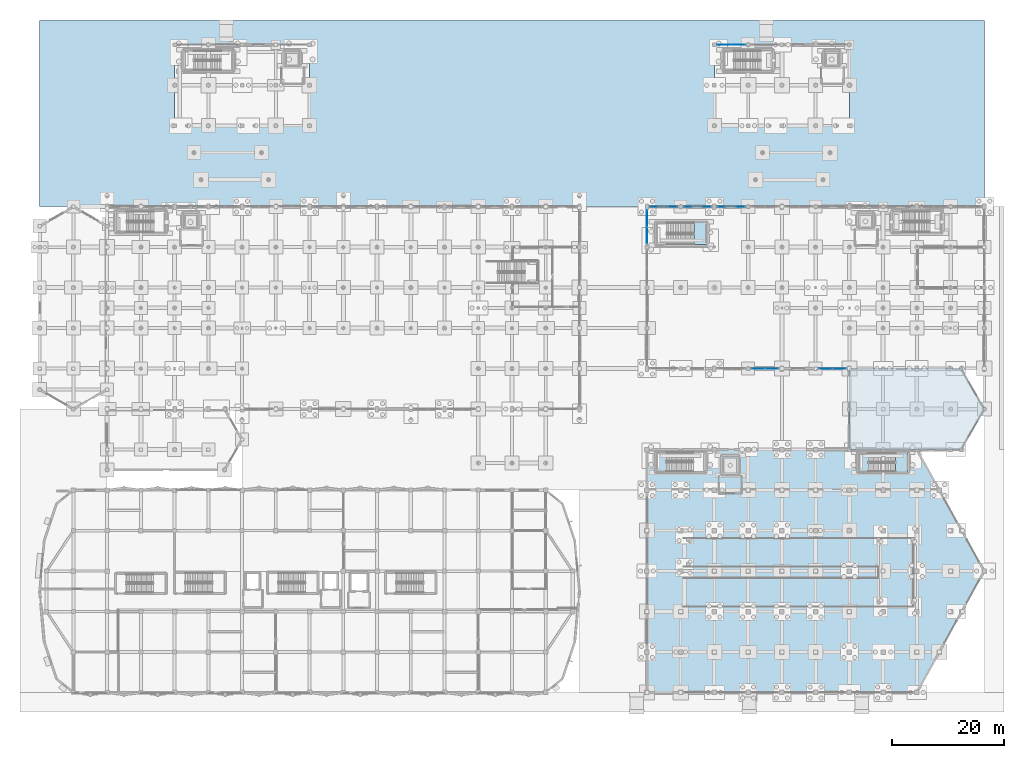
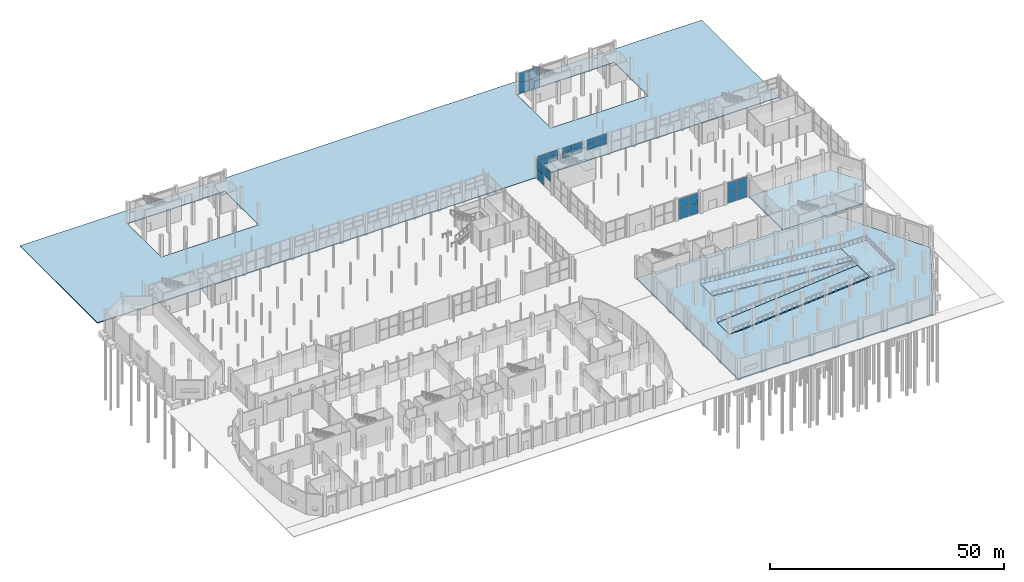
# One storey, part 73 of 103: 27 plates, 8 slabs, 9 elements without a shape of their own.
"""IFC4 building model written with IfcOpenShell, lengths in metres."""

from ifc_helpers import new_model, si_unit, direction, frame, origin, origin_2d, place, context, subcontext, project, spatial, polyline, rectangle, outline, extrude, material, layer, layer_set, type_object, element, aggregate, save


model = new_model("IFC4")

# Units and contexts
model_context = context("Model", 3, precision=1e-05, world=origin(), true_north=direction((0.0, 1.0)))
body_context = subcontext(model_context, "Body", "Model", "MODEL_VIEW")
ifc_project = project(units=[si_unit("LENGTHUNIT", "METRE"), si_unit("AREAUNIT", "SQUARE_METRE"), si_unit("VOLUMEUNIT", "CUBIC_METRE"), si_unit("PLANEANGLEUNIT", "RADIAN"), si_unit("MASSUNIT", "GRAM", prefix="KILO")], contexts=[model_context])

# Site, building, storey
site_placement = place(None, origin())
site = spatial("IfcSite", under=ifc_project, at=site_placement, CompositionType="ELEMENT")
building_placement = place(site_placement, origin())
building = spatial("IfcBuilding", under=site, at=building_placement, Name="Dunvalen Ferry Terminal", CompositionType="ELEMENT")
storey_placement = place(building_placement, origin())
storey = spatial("IfcBuildingStorey", under=building, at=storey_placement, Name="L00", CompositionType="ELEMENT", Elevation=0.0)

# Curtain wall, plates
ifc_material_1 = material(Name="Anodised marine aluminium and solar-control glazing", Category="aluminium")
ifc_layer_1 = layer(ifc_material_1, 0.219970703125, Name="Anodised marine aluminium and solar-control glazing")
ifc_layer_set_1 = layer_set([ifc_layer_1], Name="Anodised marine aluminium and solar-control glazing")
curtain_wall_type_1 = type_object("IfcCurtainWallType", Name="ENV-CW-SYS-03", PredefinedType="NOTDEFINED", material=ifc_layer_set_1)
curtain_wall_1_placement = place(storey_placement, origin())
curtain_wall_1 = element("IfcCurtainWall", 1, at=curtain_wall_1_placement, inside=storey, type_object=curtain_wall_type_1, Name="L00 Curtain Wall CW-V2W-L00-4", PredefinedType="NOTDEFINED")
ifc_material_2 = material(Name="Low-E solar-control laminated double glazing", Category="glass")
ifc_layer_2 = layer(ifc_material_2, 0.028076171875, Name="Low-E solar-control laminated double glazing")
ifc_layer_set_2 = layer_set([ifc_layer_2], Name="Low-E solar-control laminated double glazing")
plate_type_1 = type_object("IfcPlateType", Name="ENV-CW-PNL-1", PredefinedType="CURTAIN_PANEL", material=ifc_layer_set_2)
plate_1_placement = place(storey_placement, frame((108.0, 81.296142578125, 2.757568359375), z_axis=(0.0, 0.0, 1.0), x_axis=(0.0, 1.0, 0.0)))
plate_1 = element("IfcPlate", 2, at=plate_1_placement, type_object=plate_type_1, Name="CW-03 panel 1.2", PredefinedType="CURTAIN_PANEL", context=body_context, shape_type="SweptSolid", body=[
    extrude(rectangle(XDim=2.9423828125, YDim=0.028076171875, at=origin_2d()), origin(), (0.0, 0.0, 1.0), 2.62744140625),
])
plate_2_placement = place(storey_placement, frame((108.0, 84.3037109375, 0.06494140625), z_axis=(0.0, 0.0, 1.0), x_axis=(0.0, 1.0, 0.0)))
plate_2 = element("IfcPlate", 3, at=plate_2_placement, type_object=plate_type_1, Name="CW-03 panel 2.1", PredefinedType="CURTAIN_PANEL", context=body_context, shape_type="SweptSolid", body=[
    extrude(rectangle(XDim=2.9423828125, YDim=0.028076171875, at=origin_2d()), origin(), (0.0, 0.0, 1.0), 2.62744140625),
])
plate_3_placement = place(storey_placement, frame((108.0, 84.3037109375, 2.757568359375), z_axis=(0.0, 0.0, 1.0), x_axis=(0.0, 1.0, 0.0)))
plate_3 = element("IfcPlate", 4, at=plate_3_placement, type_object=plate_type_1, Name="CW-03 panel 2.2", PredefinedType="CURTAIN_PANEL", context=body_context, shape_type="SweptSolid", body=[
    extrude(rectangle(XDim=2.9423828125, YDim=0.028076171875, at=origin_2d()), origin(), (0.0, 0.0, 1.0), 2.62744140625),
])
aggregate(curtain_wall_1, [plate_1, plate_2, plate_3])

ifc_layer_3 = layer(ifc_material_1, 0.159912109375, Name="Anodised marine aluminium and solar-control glazing")
ifc_layer_set_3 = layer_set([ifc_layer_3], Name="Anodised marine aluminium and solar-control glazing")
curtain_wall_type_2 = type_object("IfcCurtainWallType", Name="ENV-CW-SYS-09", PredefinedType="NOTDEFINED", material=ifc_layer_set_3)
curtain_wall_2_placement = place(storey_placement, origin())
curtain_wall_2 = element("IfcCurtainWall", 5, at=curtain_wall_2_placement, inside=storey, type_object=curtain_wall_type_2, Name="L00 Curtain Wall CW-BRT2-N-L00-1", PredefinedType="NOTDEFINED")
plate_4_placement = place(storey_placement, frame((121.739990234375, 115.199951171875, 0.06005859375), z_axis=(0.0, 0.0, 1.0), x_axis=(1.0, 0.0, 0.0)))
plate_4 = element("IfcPlate", 6, at=plate_4_placement, type_object=plate_type_1, Name="CW-09 panel 1.1", PredefinedType="CURTAIN_PANEL", context=body_context, shape_type="SweptSolid", body=[
    extrude(rectangle(XDim=2.4599609375, YDim=0.028076171875, at=origin_2d()), origin(), (0.0, 0.0, 1.0), 2.635009765625),
])
plate_5_placement = place(storey_placement, frame((121.739990234375, 115.199951171875, 2.7548828125), z_axis=(0.0, 0.0, 1.0), x_axis=(1.0, 0.0, 0.0)))
plate_5 = element("IfcPlate", 7, at=plate_5_placement, type_object=plate_type_1, Name="CW-09 panel 1.2", PredefinedType="CURTAIN_PANEL", context=body_context, shape_type="SweptSolid", body=[
    extrude(rectangle(XDim=2.4599609375, YDim=0.028076171875, at=origin_2d()), origin(), (0.0, 0.0, 1.0), 2.635009765625),
])
plate_6_placement = place(storey_placement, frame((124.260009765625, 115.199951171875, 0.06005859375), z_axis=(0.0, 0.0, 1.0), x_axis=(1.0, 0.0, 0.0)))
plate_6 = element("IfcPlate", 8, at=plate_6_placement, type_object=plate_type_1, Name="CW-09 panel 2.1", PredefinedType="CURTAIN_PANEL", context=body_context, shape_type="SweptSolid", body=[
    extrude(rectangle(XDim=2.4599609375, YDim=0.028076171875, at=origin_2d()), origin(), (0.0, 0.0, 1.0), 2.635009765625),
])
plate_7_placement = place(storey_placement, frame((124.260009765625, 115.199951171875, 2.7548828125), z_axis=(0.0, 0.0, 1.0), x_axis=(1.0, 0.0, 0.0)))
plate_7 = element("IfcPlate", 9, at=plate_7_placement, type_object=plate_type_1, Name="CW-09 panel 2.2", PredefinedType="CURTAIN_PANEL", context=body_context, shape_type="SweptSolid", body=[
    extrude(rectangle(XDim=2.4599609375, YDim=0.028076171875, at=origin_2d()), origin(), (0.0, 0.0, 1.0), 2.635009765625),
])
aggregate(curtain_wall_2, [plate_4, plate_5, plate_6, plate_7])

ifc_layer_4 = layer(ifc_material_1, 0.219970703125, Name="Anodised marine aluminium and solar-control glazing")
ifc_layer_set_4 = layer_set([ifc_layer_4], Name="Anodised marine aluminium and solar-control glazing")
curtain_wall_type_3 = type_object("IfcCurtainWallType", Name="ENV-CW-SYS-01", PredefinedType="NOTDEFINED", material=ifc_layer_set_4)
curtain_wall_3_placement = place(storey_placement, origin())
curtain_wall_3 = element("IfcCurtainWall", 10, at=curtain_wall_3_placement, inside=storey, type_object=curtain_wall_type_3, Name="L00 Curtain Wall CW-V2S-L00-04", PredefinedType="NOTDEFINED")
ifc_layer_5 = layer(ifc_material_2, 0.035888671875, Name="Low-E solar-control laminated double glazing")
ifc_layer_set_5 = layer_set([ifc_layer_5], Name="Low-E solar-control laminated double glazing")
plate_type_2 = type_object("IfcPlateType", Name="ENV-CW-PNL-3", PredefinedType="CURTAIN_PANEL", material=ifc_layer_set_5)
plate_8_placement = place(storey_placement, frame((127.796142578125, 57.60009765625, 0.06494140625), z_axis=(0.0, 0.0, 1.0), x_axis=(1.0, 0.0, 0.0)))
plate_8 = element("IfcPlate", 11, at=plate_8_placement, type_object=plate_type_2, Name="CW-01 panel 1.1", PredefinedType="CURTAIN_PANEL", context=body_context, shape_type="SweptSolid", body=[
    extrude(rectangle(XDim=2.342529296875, YDim=0.035888671875, at=origin_2d()), origin(), (0.0, 0.0, 1.0), 2.62744140625),
])
plate_9_placement = place(storey_placement, frame((127.796142578125, 57.60009765625, 2.757568359375), z_axis=(0.0, 0.0, 1.0), x_axis=(1.0, 0.0, 0.0)))
plate_9 = element("IfcPlate", 12, at=plate_9_placement, type_object=plate_type_2, Name="CW-01 panel 1.2", PredefinedType="CURTAIN_PANEL", context=body_context, shape_type="SweptSolid", body=[
    extrude(rectangle(XDim=2.342529296875, YDim=0.035888671875, at=origin_2d()), origin(), (0.0, 0.0, 1.0), 2.62744140625),
])
plate_10_placement = place(storey_placement, frame((130.203857421875, 57.60009765625, 0.06494140625), z_axis=(0.0, 0.0, 1.0), x_axis=(1.0, 0.0, 0.0)))
plate_10 = element("IfcPlate", 13, at=plate_10_placement, type_object=plate_type_2, Name="CW-01 panel 2.1", PredefinedType="CURTAIN_PANEL", context=body_context, shape_type="SweptSolid", body=[
    extrude(rectangle(XDim=2.342529296875, YDim=0.035888671875, at=origin_2d()), origin(), (0.0, 0.0, 1.0), 2.62744140625),
])
plate_11_placement = place(storey_placement, frame((130.203857421875, 57.60009765625, 2.757568359375), z_axis=(0.0, 0.0, 1.0), x_axis=(1.0, 0.0, 0.0)))
plate_11 = element("IfcPlate", 14, at=plate_11_placement, type_object=plate_type_2, Name="CW-01 panel 2.2", PredefinedType="CURTAIN_PANEL", context=body_context, shape_type="SweptSolid", body=[
    extrude(rectangle(XDim=2.342529296875, YDim=0.035888671875, at=origin_2d()), origin(), (0.0, 0.0, 1.0), 2.62744140625),
])
aggregate(curtain_wall_3, [plate_8, plate_9, plate_10, plate_11])

curtain_wall_4_placement = place(storey_placement, origin())
curtain_wall_4 = element("IfcCurtainWall", 15, at=curtain_wall_4_placement, inside=storey, type_object=curtain_wall_type_3, Name="L00 Curtain Wall CW-V2S-L00-06", PredefinedType="NOTDEFINED")
plate_12_placement = place(storey_placement, frame((139.796142578125, 57.60009765625, 0.06494140625), z_axis=(0.0, 0.0, 1.0), x_axis=(1.0, 0.0, 0.0)))
plate_12 = element("IfcPlate", 16, at=plate_12_placement, type_object=plate_type_2, Name="CW-01 panel 1.1", PredefinedType="CURTAIN_PANEL", context=body_context, shape_type="SweptSolid", body=[
    extrude(rectangle(XDim=2.342529296875, YDim=0.035888671875, at=origin_2d()), origin(), (0.0, 0.0, 1.0), 2.62744140625),
])
plate_13_placement = place(storey_placement, frame((139.796142578125, 57.60009765625, 2.757568359375), z_axis=(0.0, 0.0, 1.0), x_axis=(1.0, 0.0, 0.0)))
plate_13 = element("IfcPlate", 17, at=plate_13_placement, type_object=plate_type_2, Name="CW-01 panel 1.2", PredefinedType="CURTAIN_PANEL", context=body_context, shape_type="SweptSolid", body=[
    extrude(rectangle(XDim=2.342529296875, YDim=0.035888671875, at=origin_2d()), origin(), (0.0, 0.0, 1.0), 2.62744140625),
])
plate_14_placement = place(storey_placement, frame((142.203857421875, 57.60009765625, 0.06494140625), z_axis=(0.0, 0.0, 1.0), x_axis=(1.0, 0.0, 0.0)))
plate_14 = element("IfcPlate", 18, at=plate_14_placement, type_object=plate_type_2, Name="CW-01 panel 2.1", PredefinedType="CURTAIN_PANEL", context=body_context, shape_type="SweptSolid", body=[
    extrude(rectangle(XDim=2.342529296875, YDim=0.035888671875, at=origin_2d()), origin(), (0.0, 0.0, 1.0), 2.62744140625),
])
plate_15_placement = place(storey_placement, frame((142.203857421875, 57.60009765625, 2.757568359375), z_axis=(0.0, 0.0, 1.0), x_axis=(1.0, 0.0, 0.0)))
plate_15 = element("IfcPlate", 19, at=plate_15_placement, type_object=plate_type_2, Name="CW-01 panel 2.2", PredefinedType="CURTAIN_PANEL", context=body_context, shape_type="SweptSolid", body=[
    extrude(rectangle(XDim=2.342529296875, YDim=0.035888671875, at=origin_2d()), origin(), (0.0, 0.0, 1.0), 2.62744140625),
])
aggregate(curtain_wall_4, [plate_12, plate_13, plate_14, plate_15])

curtain_wall_5_placement = place(storey_placement, origin())
curtain_wall_5 = element("IfcCurtainWall", 20, at=curtain_wall_5_placement, inside=storey, type_object=curtain_wall_type_3, Name="L00 Curtain Wall CW-V2N-L00-01", PredefinedType="NOTDEFINED")
ifc_layer_6 = layer(ifc_material_2, 0.0439453125, Name="Low-E solar-control laminated double glazing")
ifc_layer_set_6 = layer_set([ifc_layer_6], Name="Low-E solar-control laminated double glazing")
plate_type_3 = type_object("IfcPlateType", Name="ENV-CW-PNL-5", PredefinedType="CURTAIN_PANEL", material=ifc_layer_set_6)
plate_16_placement = place(storey_placement, frame((109.796142578125, 86.39990234375, 2.76513671875), z_axis=(0.0, 0.0, 1.0), x_axis=(1.0, 0.0, 0.0)))
plate_16 = element("IfcPlate", 21, at=plate_16_placement, type_object=plate_type_3, Name="CW-01 panel 1.1", PredefinedType="CURTAIN_PANEL", context=body_context, shape_type="SweptSolid", body=[
    extrude(rectangle(XDim=2.342529296875, YDim=0.0439453125, at=origin_2d()), origin(), (0.0, 0.0, 1.0), 1.277587890625),
])
plate_17_placement = place(storey_placement, frame((109.796142578125, 86.39990234375, 4.107421875), z_axis=(0.0, 0.0, 1.0), x_axis=(1.0, 0.0, 0.0)))
plate_17 = element("IfcPlate", 22, at=plate_17_placement, type_object=plate_type_3, Name="CW-01 panel 1.2", PredefinedType="CURTAIN_PANEL", context=body_context, shape_type="SweptSolid", body=[
    extrude(rectangle(XDim=2.342529296875, YDim=0.0439453125, at=origin_2d()), origin(), (0.0, 0.0, 1.0), 1.277587890625),
])
plate_18_placement = place(storey_placement, frame((112.203857421875, 86.39990234375, 2.76513671875), z_axis=(0.0, 0.0, 1.0), x_axis=(1.0, 0.0, 0.0)))
plate_18 = element("IfcPlate", 23, at=plate_18_placement, type_object=plate_type_3, Name="CW-01 panel 2.1", PredefinedType="CURTAIN_PANEL", context=body_context, shape_type="SweptSolid", body=[
    extrude(rectangle(XDim=2.342529296875, YDim=0.0439453125, at=origin_2d()), origin(), (0.0, 0.0, 1.0), 1.277587890625),
])
plate_19_placement = place(storey_placement, frame((112.203857421875, 86.39990234375, 4.107421875), z_axis=(0.0, 0.0, 1.0), x_axis=(1.0, 0.0, 0.0)))
plate_19 = element("IfcPlate", 24, at=plate_19_placement, type_object=plate_type_3, Name="CW-01 panel 2.2", PredefinedType="CURTAIN_PANEL", context=body_context, shape_type="SweptSolid", body=[
    extrude(rectangle(XDim=2.342529296875, YDim=0.0439453125, at=origin_2d()), origin(), (0.0, 0.0, 1.0), 1.277587890625),
])
aggregate(curtain_wall_5, [plate_16, plate_17, plate_18, plate_19])

curtain_wall_6_placement = place(storey_placement, origin())
curtain_wall_6 = element("IfcCurtainWall", 25, at=curtain_wall_6_placement, inside=storey, type_object=curtain_wall_type_3, Name="L00 Curtain Wall CW-V2N-L00-02", PredefinedType="NOTDEFINED")
plate_20_placement = place(storey_placement, frame((115.796142578125, 86.39990234375, 2.76513671875), z_axis=(0.0, 0.0, 1.0), x_axis=(1.0, 0.0, 0.0)))
plate_20 = element("IfcPlate", 26, at=plate_20_placement, type_object=plate_type_3, Name="CW-01 panel 1.1", PredefinedType="CURTAIN_PANEL", context=body_context, shape_type="SweptSolid", body=[
    extrude(rectangle(XDim=2.342529296875, YDim=0.0439453125, at=origin_2d()), origin(), (0.0, 0.0, 1.0), 1.277587890625),
])
plate_21_placement = place(storey_placement, frame((115.796142578125, 86.39990234375, 4.107421875), z_axis=(0.0, 0.0, 1.0), x_axis=(1.0, 0.0, 0.0)))
plate_21 = element("IfcPlate", 27, at=plate_21_placement, type_object=plate_type_3, Name="CW-01 panel 1.2", PredefinedType="CURTAIN_PANEL", context=body_context, shape_type="SweptSolid", body=[
    extrude(rectangle(XDim=2.342529296875, YDim=0.0439453125, at=origin_2d()), origin(), (0.0, 0.0, 1.0), 1.277587890625),
])
plate_22_placement = place(storey_placement, frame((118.203857421875, 86.39990234375, 2.76513671875), z_axis=(0.0, 0.0, 1.0), x_axis=(1.0, 0.0, 0.0)))
plate_22 = element("IfcPlate", 28, at=plate_22_placement, type_object=plate_type_3, Name="CW-01 panel 2.1", PredefinedType="CURTAIN_PANEL", context=body_context, shape_type="SweptSolid", body=[
    extrude(rectangle(XDim=2.342529296875, YDim=0.0439453125, at=origin_2d()), origin(), (0.0, 0.0, 1.0), 1.277587890625),
])
plate_23_placement = place(storey_placement, frame((118.203857421875, 86.39990234375, 4.107421875), z_axis=(0.0, 0.0, 1.0), x_axis=(1.0, 0.0, 0.0)))
plate_23 = element("IfcPlate", 29, at=plate_23_placement, type_object=plate_type_3, Name="CW-01 panel 2.2", PredefinedType="CURTAIN_PANEL", context=body_context, shape_type="SweptSolid", body=[
    extrude(rectangle(XDim=2.342529296875, YDim=0.0439453125, at=origin_2d()), origin(), (0.0, 0.0, 1.0), 1.277587890625),
])
aggregate(curtain_wall_6, [plate_20, plate_21, plate_22, plate_23])

curtain_wall_7_placement = place(storey_placement, origin())
curtain_wall_7 = element("IfcCurtainWall", 30, at=curtain_wall_7_placement, inside=storey, type_object=curtain_wall_type_3, Name="L00 Curtain Wall CW-V2N-L00-03", PredefinedType="NOTDEFINED")
plate_24_placement = place(storey_placement, frame((121.796142578125, 86.39990234375, 2.76513671875), z_axis=(0.0, 0.0, 1.0), x_axis=(1.0, 0.0, 0.0)))
plate_24 = element("IfcPlate", 31, at=plate_24_placement, type_object=plate_type_3, Name="CW-01 panel 1.1", PredefinedType="CURTAIN_PANEL", context=body_context, shape_type="SweptSolid", body=[
    extrude(rectangle(XDim=2.342529296875, YDim=0.0439453125, at=origin_2d()), origin(), (0.0, 0.0, 1.0), 1.277587890625),
])
plate_25_placement = place(storey_placement, frame((121.796142578125, 86.39990234375, 4.107421875), z_axis=(0.0, 0.0, 1.0), x_axis=(1.0, 0.0, 0.0)))
plate_25 = element("IfcPlate", 32, at=plate_25_placement, type_object=plate_type_3, Name="CW-01 panel 1.2", PredefinedType="CURTAIN_PANEL", context=body_context, shape_type="SweptSolid", body=[
    extrude(rectangle(XDim=2.342529296875, YDim=0.0439453125, at=origin_2d()), origin(), (0.0, 0.0, 1.0), 1.277587890625),
])
plate_26_placement = place(storey_placement, frame((124.203857421875, 86.39990234375, 2.76513671875), z_axis=(0.0, 0.0, 1.0), x_axis=(1.0, 0.0, 0.0)))
plate_26 = element("IfcPlate", 33, at=plate_26_placement, type_object=plate_type_3, Name="CW-01 panel 2.1", PredefinedType="CURTAIN_PANEL", context=body_context, shape_type="SweptSolid", body=[
    extrude(rectangle(XDim=2.342529296875, YDim=0.0439453125, at=origin_2d()), origin(), (0.0, 0.0, 1.0), 1.277587890625),
])
plate_27_placement = place(storey_placement, frame((124.203857421875, 86.39990234375, 4.107421875), z_axis=(0.0, 0.0, 1.0), x_axis=(1.0, 0.0, 0.0)))
plate_27 = element("IfcPlate", 34, at=plate_27_placement, type_object=plate_type_3, Name="CW-01 panel 2.2", PredefinedType="CURTAIN_PANEL", context=body_context, shape_type="SweptSolid", body=[
    extrude(rectangle(XDim=2.342529296875, YDim=0.0439453125, at=origin_2d()), origin(), (0.0, 0.0, 1.0), 1.277587890625),
])
aggregate(curtain_wall_7, [plate_24, plate_25, plate_26, plate_27])

# Stair, slab
ifc_material_3 = material(Name="Concrete C35/45", Category="concrete")
stair_type_1 = type_object("IfcStairType", Name="INT-ST-DLG-03", PredefinedType="HALF_TURN_STAIR", material=ifc_material_3)
stair_1_placement = place(storey_placement, origin())
stair_1 = element("IfcStair", 35, at=stair_1_placement, inside=storey, type_object=stair_type_1, Name="L00 Protected Escape Stair 6", PredefinedType="HALF_TURN_STAIR")
ifc_layer_7 = layer(ifc_material_3, 0.199951171875, Name="Concrete C35/45")
ifc_layer_set_7 = layer_set([ifc_layer_7], Name="Concrete C35/45")
slab_type_1 = type_object("IfcSlabType", Name="INT-SLB-LND200", PredefinedType="LANDING", material=ifc_layer_set_7)
slab_1_placement = place(storey_placement, frame((0.0, 0.0, 2.679931640625)))
slab_1 = element("IfcSlab", 36, at=slab_1_placement, type_object=slab_type_1, Name="ST6 landing 1", PredefinedType="LANDING", context=body_context, shape_type="SweptSolid", body=[
    extrude(outline(polyline([(152.199951171875, 39.25), (154.35009765625, 39.25), (154.35009765625, 42.550048828125), (152.199951171875, 42.550048828125), (152.199951171875, 39.25)])), origin(), (0.0, 0.0, 1.0), 0.199951171875),
])
aggregate(stair_1, [slab_1])

stair_type_2 = type_object("IfcStairType", Name="INT-ST-DLG-09", PredefinedType="HALF_TURN_STAIR", material=ifc_material_3)
stair_2_placement = place(storey_placement, origin())
stair_2 = element("IfcStair", 37, at=stair_2_placement, inside=storey, type_object=stair_type_2, Name="L00 Border Concourse Stair 10", PredefinedType="HALF_TURN_STAIR")
slab_2_placement = place(storey_placement, frame((0.0, 0.0, 2.679931640625)))
slab_2 = element("IfcSlab", 38, at=slab_2_placement, type_object=slab_type_1, Name="ST10 landing 1", PredefinedType="LANDING", context=body_context, shape_type="SweptSolid", body=[
    extrude(outline(polyline([(116.35009765625, 79.64990234375), (118.550048828125, 79.64990234375), (118.550048828125, 83.550048828125), (116.35009765625, 83.550048828125), (116.35009765625, 79.64990234375)])), origin(), (0.0, 0.0, 1.0), 0.199951171875),
])
aggregate(stair_2, [slab_2])

# Slabs
ifc_material_4 = material(Name="Concrete C40/50", Category="concrete")
ifc_layer_8 = layer(ifc_material_4, 0.280029296875, Name="Concrete C40/50")
ifc_layer_set_8 = layer_set([ifc_layer_8], Name="Concrete C40/50")
slab_type_2 = type_object("IfcSlabType", Name="STR-SLB-FLR280", PredefinedType="FLOOR", material=ifc_layer_set_8)
slab_3_placement = place(storey_placement, frame((0.0, 0.0, -0.280029296875)))
element("IfcSlab", 39, at=slab_3_placement, inside=storey, type_object=slab_type_2, Name="L00 Customs Annex Floor Slab", PredefinedType="FLOOR", context=body_context, shape_type="SweptSolid", body=[
    extrude(outline(polyline([(144.0, 43.199951171875), (163.843017578125, 43.199951171875), (168.0, 50.39990234375), (163.843017578125, 57.60009765625), (144.0, 57.60009765625), (144.0, 43.199951171875)])), origin(), (0.0, 0.0, 1.0), 0.280029296875),
])
ifc_layer_9 = layer(ifc_material_4, 0.300048828125, Name="Concrete C40/50")
ifc_layer_set_9 = layer_set([ifc_layer_9], Name="Concrete C40/50")
slab_type_3 = type_object("IfcSlabType", Name="STR-SLB-LND300", PredefinedType="LANDING", material=ifc_layer_set_9)
slab_4_placement = place(storey_placement, frame((0.0, 0.0, 2.580078125)))
element("IfcSlab", 40, at=slab_4_placement, inside=storey, type_object=slab_type_3, Name="Vehicle Marshalling Ramp Mid-Landing Slab", PredefinedType="LANDING", context=body_context, shape_type="SweptSolid", body=[
    extrude(outline(polyline([(149.18994140625, 15.199951171875), (155.449951171875, 15.199951171875), (155.449951171875, 27.5), (149.18994140625, 27.5), (149.18994140625, 15.199951171875)])), origin(), (0.0, 0.0, 1.0), 0.2998046875),
])
ifc_layer_10 = layer(ifc_material_4, 0.199951171875, Name="Concrete C40/50")
ifc_layer_set_10 = layer_set([ifc_layer_10], Name="Concrete C40/50")
slab_type_4 = type_object("IfcSlabType", Name="STR-SLB-PAV200", PredefinedType="FLOOR", material=ifc_layer_set_10)
slab_5_placement = place(storey_placement, frame((0.0, 0.0, -0.199951171875)))
element("IfcSlab", 41, at=slab_5_placement, inside=storey, type_object=slab_type_4, Name="L00 External Waterfront Paving QUAY-NORTH 1", PredefinedType="FLOOR", context=body_context, shape_type="SweptSolid", body=[
    extrude(outline(polyline([(5.97998046875, 86.39990234375), (5.9951171875, 86.40869140625), (5.995849609375, 86.4091796875), (5.99658203125, 86.409423828125), (5.99755859375, 86.40966796875), (5.99853515625, 86.409912109375), (5.99951171875, 86.409912109375), (6.00048828125, 86.409912109375), (6.00146484375, 86.409912109375), (6.00244140625, 86.40966796875), (6.00341796875, 86.409423828125), (6.004150390625, 86.4091796875), (6.0048828125, 86.40869140625), (6.02001953125, 86.39990234375), (11.989990234375, 86.39990234375), (11.989990234375, 86.40087890625), (11.990234375, 86.402099609375), (11.990478515625, 86.40283203125), (11.99072265625, 86.40380859375), (11.9912109375, 86.40478515625), (11.99169921875, 86.405517578125), (11.9921875, 86.40625), (11.992919921875, 86.406982421875), (11.99365234375, 86.40771484375), (11.994384765625, 86.408203125), (11.995361328125, 86.40869140625), (11.99609375, 86.4091796875), (11.9970703125, 86.40966796875), (11.998046875, 86.409912109375), (11.9990234375, 86.409912109375), (12.0, 86.409912109375), (96.0, 86.409912109375), (96.0009765625, 86.409912109375), (96.001953125, 86.409912109375), (96.0029296875, 86.40966796875), (96.00390625, 86.4091796875), (96.004638671875, 86.40869140625), (96.005615234375, 86.408203125), (96.00634765625, 86.40771484375), (96.007080078125, 86.406982421875), (96.0078125, 86.40625), (96.00830078125, 86.405517578125), (96.0087890625, 86.40478515625), (96.00927734375, 86.40380859375), (96.009521484375, 86.40283203125), (96.009765625, 86.402099609375), (96.010009765625, 86.40087890625), (96.010009765625, 86.39990234375), (107.989990234375, 86.39990234375), (107.989990234375, 86.40087890625), (107.990234375, 86.402099609375), (107.990478515625, 86.40283203125), (107.99072265625, 86.40380859375), (107.9912109375, 86.40478515625), (107.99169921875, 86.405517578125), (107.9921875, 86.40625), (107.992919921875, 86.406982421875), (107.99365234375, 86.40771484375), (107.994384765625, 86.408203125), (107.995361328125, 86.40869140625), (107.99609375, 86.4091796875), (107.9970703125, 86.40966796875), (107.998046875, 86.409912109375), (107.9990234375, 86.409912109375), (108.0, 86.409912109375), (168.0, 86.409912109375), (168.0, 119.5), (0.0, 119.5), (0.0, 86.39990234375), (5.97998046875, 86.39990234375)]), holes=[polyline([(120.0, 115.2099609375), (119.9990234375, 115.2099609375), (119.998046875, 115.209716796875), (119.9970703125, 115.209716796875), (119.99609375, 115.209228515625), (119.995361328125, 115.208740234375), (119.994384765625, 115.208251953125), (119.99365234375, 115.207763671875), (119.992919921875, 115.20703125), (119.9921875, 115.206298828125), (119.99169921875, 115.20556640625), (119.9912109375, 115.20458984375), (119.99072265625, 115.203857421875), (119.990478515625, 115.202880859375), (119.990234375, 115.201904296875), (119.989990234375, 115.200927734375), (119.989990234375, 115.199951171875), (119.989990234375, 100.800048828125), (119.989990234375, 100.799072265625), (119.990234375, 100.798095703125), (119.990478515625, 100.797119140625), (119.99072265625, 100.796142578125), (119.9912109375, 100.79541015625), (119.99169921875, 100.79443359375), (119.9921875, 100.793701171875), (119.992919921875, 100.79296875), (119.99365234375, 100.792236328125), (119.994384765625, 100.791748046875), (119.995361328125, 100.791259765625), (119.99609375, 100.790771484375), (119.9970703125, 100.790283203125), (119.998046875, 100.790283203125), (119.9990234375, 100.7900390625), (120.0, 100.7900390625), (144.0, 100.7900390625), (144.0009765625, 100.7900390625), (144.001953125, 100.790283203125), (144.0029296875, 100.790283203125), (144.00390625, 100.790771484375), (144.004638671875, 100.791259765625), (144.005615234375, 100.791748046875), (144.00634765625, 100.792236328125), (144.007080078125, 100.79296875), (144.0078125, 100.793701171875), (144.00830078125, 100.79443359375), (144.0087890625, 100.79541015625), (144.00927734375, 100.796142578125), (144.009521484375, 100.797119140625), (144.009765625, 100.798095703125), (144.010009765625, 100.799072265625), (144.010009765625, 100.800048828125), (144.010009765625, 115.199951171875), (144.010009765625, 115.200927734375), (144.009765625, 115.201904296875), (144.009521484375, 115.202880859375), (144.00927734375, 115.203857421875), (144.0087890625, 115.20458984375), (144.00830078125, 115.20556640625), (144.0078125, 115.206298828125), (144.007080078125, 115.20703125), (144.00634765625, 115.207763671875), (144.005615234375, 115.208251953125), (144.004638671875, 115.208740234375), (144.00390625, 115.209228515625), (144.0029296875, 115.209716796875), (144.001953125, 115.209716796875), (144.0009765625, 115.2099609375), (144.0, 115.2099609375), (120.0, 115.2099609375)]), polyline([(24.0, 115.2099609375), (23.9990234375, 115.2099609375), (23.998046875, 115.209716796875), (23.9970703125, 115.209716796875), (23.99609375, 115.209228515625), (23.995361328125, 115.208740234375), (23.994384765625, 115.208251953125), (23.99365234375, 115.207763671875), (23.992919921875, 115.20703125), (23.9921875, 115.206298828125), (23.99169921875, 115.20556640625), (23.9912109375, 115.20458984375), (23.99072265625, 115.203857421875), (23.990478515625, 115.202880859375), (23.990234375, 115.201904296875), (23.989990234375, 115.200927734375), (23.989990234375, 115.199951171875), (23.989990234375, 100.800048828125), (23.989990234375, 100.799072265625), (23.990234375, 100.798095703125), (23.990478515625, 100.797119140625), (23.99072265625, 100.796142578125), (23.9912109375, 100.79541015625), (23.99169921875, 100.79443359375), (23.9921875, 100.793701171875), (23.992919921875, 100.79296875), (23.99365234375, 100.792236328125), (23.994384765625, 100.791748046875), (23.995361328125, 100.791259765625), (23.99609375, 100.790771484375), (23.9970703125, 100.790283203125), (23.998046875, 100.790283203125), (23.9990234375, 100.7900390625), (24.0, 100.7900390625), (48.0, 100.7900390625), (48.0009765625, 100.7900390625), (48.001953125, 100.790283203125), (48.0029296875, 100.790283203125), (48.00390625, 100.790771484375), (48.004638671875, 100.791259765625), (48.005615234375, 100.791748046875), (48.00634765625, 100.792236328125), (48.007080078125, 100.79296875), (48.0078125, 100.793701171875), (48.00830078125, 100.79443359375), (48.0087890625, 100.79541015625), (48.00927734375, 100.796142578125), (48.009521484375, 100.797119140625), (48.009765625, 100.798095703125), (48.010009765625, 100.799072265625), (48.010009765625, 100.800048828125), (48.010009765625, 115.199951171875), (48.010009765625, 115.200927734375), (48.009765625, 115.201904296875), (48.009521484375, 115.202880859375), (48.00927734375, 115.203857421875), (48.0087890625, 115.20458984375), (48.00830078125, 115.20556640625), (48.0078125, 115.206298828125), (48.007080078125, 115.20703125), (48.00634765625, 115.207763671875), (48.005615234375, 115.208251953125), (48.004638671875, 115.208740234375), (48.00390625, 115.209228515625), (48.0029296875, 115.209716796875), (48.001953125, 115.209716796875), (48.0009765625, 115.2099609375), (48.0, 115.2099609375), (24.0, 115.2099609375)])]), origin(), (0.0, 0.0, 1.0), 0.199951171875),
])
ifc_layer_11 = layer(ifc_material_4, 0.320068359375, Name="Concrete C40/50")
ifc_layer_set_11 = layer_set([ifc_layer_11], Name="Concrete C40/50")
slab_type_5 = type_object("IfcSlabType", Name="STR-SLB-VEH320", PredefinedType="FLOOR", material=ifc_layer_set_11)
slab_6_placement = place(storey_placement, frame((0.0, 0.0, -0.320068359375)))
element("IfcSlab", 42, at=slab_6_placement, inside=storey, type_object=slab_type_5, Name="L00 Lower Ro-Ro Vehicle Marshalling Deck Slab", PredefinedType="FLOOR", context=body_context, shape_type="SweptSolid", body=[
    extrude(outline(polyline([(108.0, 0.0), (156.0, 0.0), (168.0, 21.60009765625), (156.0, 43.199951171875), (108.0, 43.199951171875), (108.0, 0.0)]), holes=[polyline([(114.60009765625, 15.280029296875), (118.800048828125, 15.280029296875), (118.800048828125, 20.320068359375), (114.60009765625, 20.320068359375), (114.60009765625, 15.280029296875)])]), origin(), (0.0, 0.0, 1.0), 0.320068359375),
])
ifc_layer_12 = layer(ifc_material_4, 0.300048828125, Name="Concrete C40/50")
ifc_layer_set_12 = layer_set([ifc_layer_12], Name="Concrete C40/50")
slab_type_6 = type_object("IfcSlabType", Name="STR-SLB-VRMP300", PredefinedType="FLOOR", material=ifc_layer_set_12)
slab_7_placement = place(storey_placement, frame((114.60009765625, 15.300048828125, 0.0), z_axis=(-0.083042566795, 0.0, 0.996546000996), x_axis=(0.996546000996, 0.0, 0.083042566795)))
element("IfcSlab", 43, at=slab_7_placement, inside=storey, type_object=slab_type_6, Name="Vehicle Marshalling Ramp Flight 1 Slab", PredefinedType="FLOOR", context=body_context, shape_type="SweptSolid", body=[
    extrude(outline(polyline([(0.0, 0.0), (34.67959774922657, 0.0), (34.67959774922657, 5.0), (0.0, 5.0), (0.0, 0.0)])), origin(), (0.0, 0.0, -1.0), 0.300048828125),
])
slab_8_placement = place(storey_placement, frame((114.60009765625, 22.39990234375, 5.760009765625), z_axis=(0.083049558133, 0.0, 0.99654541838), x_axis=(0.99654541838, 0.0, -0.083049558133)))
element("IfcSlab", 44, at=slab_8_placement, inside=storey, type_object=slab_type_6, Name="Vehicle Marshalling Ramp Flight 2 Slab", PredefinedType="FLOOR", context=body_context, shape_type="SweptSolid", body=[
    extrude(outline(polyline([(0.0, 0.0), (34.67961802414417, 0.0), (34.67961802414417, 5.000000000000001), (0.0, 5.000000000000001), (0.0, 0.0)])), origin(), (0.0, 0.0, -1.0), 0.300048828125),
])

save(model, "model.ifc")
